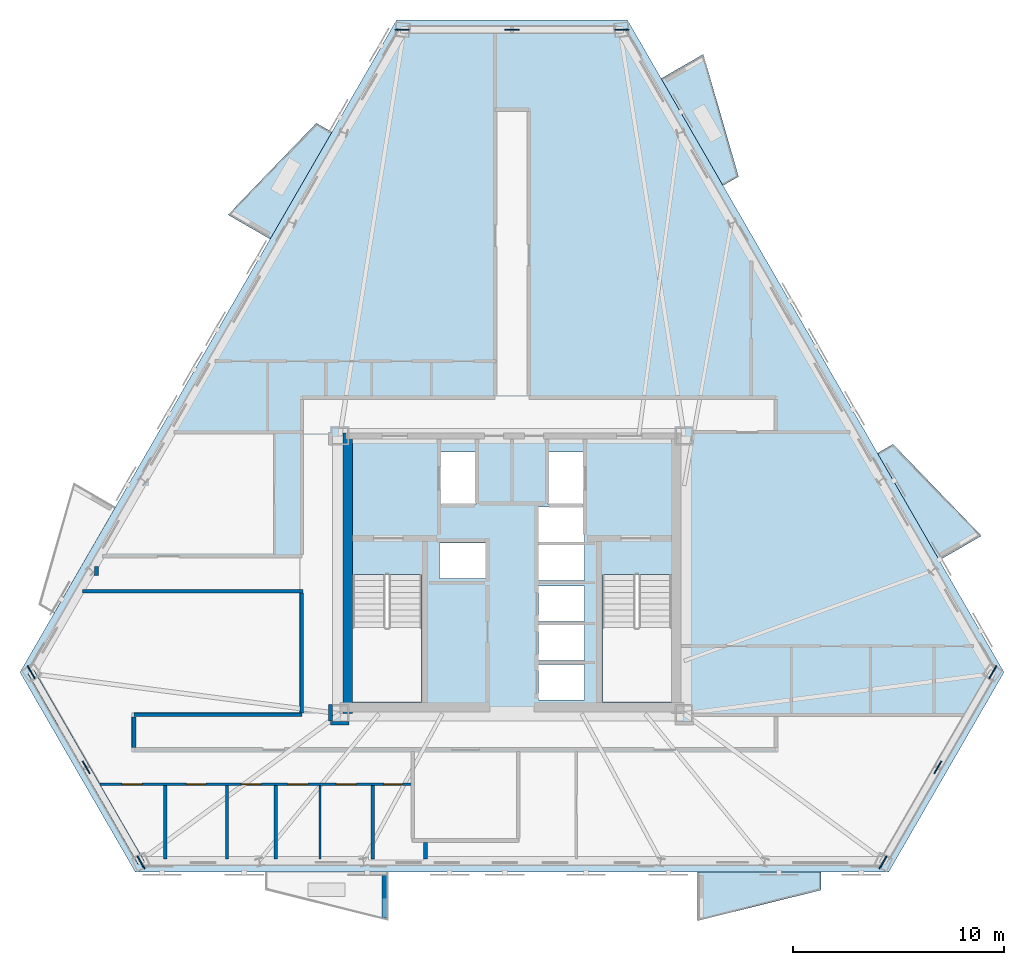
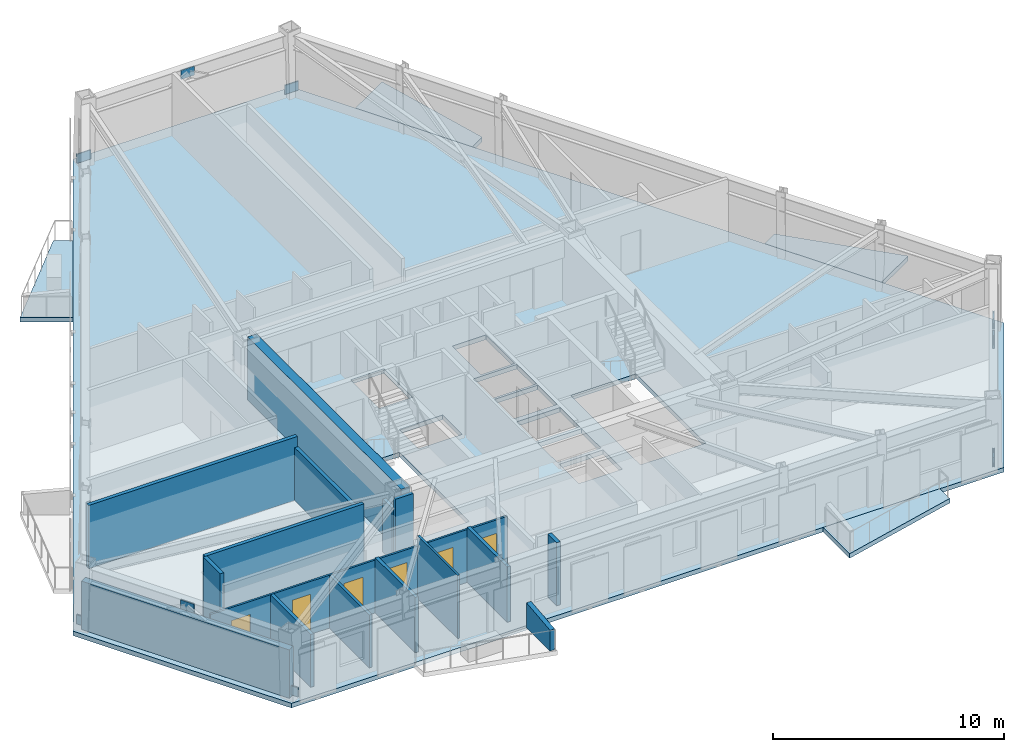
# One storey, part 2 of 9: 17 walls, 9 plates, 6 doors, 5 slabs, 6 openings.
"""IFC4 building model written with IfcOpenShell, lengths in metres."""

from ifc_helpers import new_model, si_unit, direction, frame, frame_2d, origin, origin_2d, place, context, subcontext, project, spatial, polyline, rectangle, outline, extrude, material, layer, layer_set, type_object, element, fill, save


model = new_model("IFC4")

# Units and contexts
model_context = context("Model", 3, precision=1e-05, world=origin(), true_north=direction((0.0, 1.0)))
body_context = subcontext(model_context, "Body", "Model", "MODEL_VIEW")
ifc_project = project(units=[si_unit("LENGTHUNIT", "METRE"), si_unit("AREAUNIT", "SQUARE_METRE"), si_unit("VOLUMEUNIT", "CUBIC_METRE"), si_unit("PLANEANGLEUNIT", "RADIAN"), si_unit("MASSUNIT", "GRAM", prefix="KILO")], contexts=[model_context])

# Site, building, storey
site_placement = place(None, origin())
site = spatial("IfcSite", under=ifc_project, at=site_placement, CompositionType="ELEMENT")
building_placement = place(site_placement, origin())
building = spatial("IfcBuilding", under=site, at=building_placement, Name="Oramaril Tower", CompositionType="ELEMENT")
storey_placement = place(building_placement, frame((0.0, 0.0, 130.199951171875)))
storey = spatial("IfcBuildingStorey", under=building, at=storey_placement, Name="L34", CompositionType="ELEMENT", Elevation=130.199951171875)

# Plates
ifc_material_1 = material(Name="Steel ASTM A572 Gr 50", Category="steel")
ifc_layer_1 = layer(ifc_material_1, 0.06005859375)
ifc_layer_set_1 = layer_set([ifc_layer_1], Name="PLT-G60")
plate_type = type_object("IfcPlateType", Name="PLT-G60", PredefinedType="USERDEFINED", material=ifc_layer_set_1)
for number, where, z_axis, x_axis, name in (
    (1, (17.340576171875, 8.4609375, 2.714111328125), (0.0, 0.0, 1.0), (0.5, -0.866025403784, 0.0), "L34 Chevron Brace Gusset Plate BN-1"),
    (2, (14.741943359375, 12.9619140625, 0.10009765625), (0.0, 0.0, 1.0), (0.5, -0.866025403784, 0.0), "L34 Chevron Brace Gusset Plate BN-1"),
    (3, (19.939208984375, 3.9599609375, 0.10009765625), (0.0, 0.0, 1.0), (0.5, -0.866025403784, 0.0), "L34 Chevron Brace Gusset Plate BN-1"),
    (4, (57.659423828125, 8.4609375, 2.714111328125), (0.0, 0.0, 1.0), (0.5, 0.866025403784, 0.0), "L34 Chevron Brace Gusset Plate BN-1"),
    (5, (55.060791015625, 3.9599609375, 0.10009765625), (0.0, 0.0, 1.0), (0.5, 0.866025403784, 0.0), "L34 Chevron Brace Gusset Plate BN-1"),
    (6, (60.258056640625, 12.9619140625, 0.10009765625), (0.0, 0.0, 1.0), (0.5, 0.866025403784, 0.0), "L34 Chevron Brace Gusset Plate BN-1"),
    (7, (37.5, 43.378173828125, 2.714111328125), (0.0, 0.0, 1.0), (-1.0, 0.0, 0.0), "L34 Chevron Brace Gusset Plate BN-1"),
    (8, (42.697265625, 43.378173828125, 0.10009765625), (0.0, 0.0, 1.0), (-1.0, 0.0, 0.0), "L34 Chevron Brace Gusset Plate BN-1"),
    (9, (32.302734375, 43.378173828125, 0.10009765625), (0.0, 0.0, 1.0), (-1.0, 0.0, 0.0), "L34 Chevron Brace Gusset Plate BN-1"),
):
    element("IfcPlate", number, at=place(storey_placement, frame(where, z_axis=z_axis, x_axis=x_axis)), inside=storey, type_object=plate_type, Name=name, ObjectType="GUSSET", PredefinedType="USERDEFINED", context=body_context, shape_type="SweptSolid", body=[
        extrude(rectangle(XDim=0.679931640625, YDim=0.06005859375, at=origin_2d()), origin(), (0.0, 0.0, 1.0), 0.47998046875),
    ])

# Slabs
ifc_material_2 = material(Name="Concrete C40/50", Category="concrete")
ifc_layer_2 = layer(ifc_material_2, 0.199951171875)
ifc_layer_set_2 = layer_set([ifc_layer_2], Name="SLT-BAL20")
slab_type_1 = type_object("IfcSlabType", Name="SLT-BAL20", PredefinedType="FLOOR", material=ifc_layer_set_2)
slab_1_placement = place(storey_placement, frame((0.0, 0.0, -0.239990234375)))
element("IfcSlab", 10, at=slab_1_placement, inside=storey, type_object=slab_type_1, Name="L34 Cantilevered Balcony Slab L34-BAL-S2", PredefinedType="FLOOR", context=body_context, shape_type="SweptSolid", body=[
    extrude(outline(polyline([(46.2763671875, 3.501953125), (52.12646484375, 3.501953125), (52.12646484375, 2.64990234375), (46.2763671875, 1.199951171875), (46.2763671875, 3.501953125)])), origin(), (0.0, 0.0, 1.0), 0.239990234375),
])
slab_2_placement = place(storey_placement, frame((0.0, 0.0, -0.239990234375)))
element("IfcSlab", 11, at=slab_2_placement, inside=storey, type_object=slab_type_1, Name="L34 Cantilevered Balcony Slab L34-BAL-NE1", PredefinedType="FLOOR", context=body_context, shape_type="SweptSolid", body=[
    extrude(outline(polyline([(57.72509765625, 18.265380859375), (54.800048828125, 23.33154296875), (55.537841796875, 23.757568359375), (59.71875, 19.416259765625), (57.72509765625, 18.265380859375)])), origin(), (0.0, 0.0, 1.0), 0.239990234375),
])
ifc_material_3 = material(Name="Concrete C50/60", Category="concrete")
ifc_layer_3 = layer(ifc_material_3, 0.239990234375)
ifc_layer_set_3 = layer_set([ifc_layer_3], Name="SLT-FLR24")
slab_type_2 = type_object("IfcSlabType", Name="SLT-FLR24", PredefinedType="FLOOR", material=ifc_layer_set_3)
slab_3_placement = place(storey_placement, frame((0.0, 0.0, -0.239990234375)))
element("IfcSlab", 12, at=slab_3_placement, inside=storey, type_object=slab_type_2, Name="L34 Structural Floor Slab", PredefinedType="FLOOR", context=body_context, shape_type="SweptSolid", body=[
    extrude(outline(polyline([(14.210693359375, 12.9619140625), (19.673583984375, 3.5), (55.326416015625, 3.5), (60.789306640625, 12.9619140625), (42.962890625, 43.838134765625), (32.037109375, 43.838134765625), (14.210693359375, 12.9619140625)]), holes=[polyline([(29.949951171875, 17.58935546875), (29.949951171875, 11.550048828125), (33.219970703125, 11.550048828125), (33.219970703125, 17.58935546875), (29.949951171875, 17.58935546875)]), polyline([(41.780029296875, 17.58935546875), (41.780029296875, 11.550048828125), (45.050048828125, 11.550048828125), (45.050048828125, 17.58935546875), (41.780029296875, 17.58935546875)]), polyline([(34.110107421875, 20.909912109375), (35.7900390625, 20.909912109375), (35.7900390625, 23.389892578125), (34.110107421875, 23.389892578125), (34.110107421875, 20.909912109375)]), polyline([(39.2099609375, 20.909912109375), (40.889892578125, 20.909912109375), (40.889892578125, 23.389892578125), (39.2099609375, 23.389892578125), (39.2099609375, 20.909912109375)]), polyline([(38.760009765625, 11.659912109375), (40.93994140625, 11.659912109375), (40.93994140625, 13.340087890625), (38.760009765625, 13.340087890625), (38.760009765625, 11.659912109375)]), polyline([(38.760009765625, 13.510009765625), (40.93994140625, 13.510009765625), (40.93994140625, 15.18994140625), (38.760009765625, 15.18994140625), (38.760009765625, 13.510009765625)]), polyline([(38.760009765625, 15.360107421875), (40.93994140625, 15.360107421875), (40.93994140625, 17.0400390625), (38.760009765625, 17.0400390625), (38.760009765625, 15.360107421875)]), polyline([(34.06005859375, 17.409912109375), (36.239990234375, 17.409912109375), (36.239990234375, 19.090087890625), (34.06005859375, 19.090087890625), (34.06005859375, 17.409912109375)]), polyline([(38.760009765625, 17.31005859375), (40.93994140625, 17.31005859375), (40.93994140625, 18.989990234375), (38.760009765625, 18.989990234375), (38.760009765625, 17.31005859375)]), polyline([(38.760009765625, 19.110107421875), (40.93994140625, 19.110107421875), (40.93994140625, 20.7900390625), (38.760009765625, 20.7900390625), (38.760009765625, 19.110107421875)])]), origin(), (0.0, 0.0, 1.0), 0.239990234375),
])
ifc_material_4 = material(Name="Concrete C40/50", Category="concrete")
ifc_layer_4 = layer(ifc_material_4, 0.18994140625)
ifc_layer_set_4 = layer_set([ifc_layer_4], Name="SLT-PLN19")
slab_type_3 = type_object("IfcSlabType", Name="SLT-PLN19", PredefinedType="FLOOR", material=ifc_layer_set_4)
slab_4_placement = place(storey_placement, frame((0.0, 0.0, -0.239990234375)))
element("IfcSlab", 13, at=slab_4_placement, inside=storey, type_object=slab_type_3, Name="L34 Tree Planter Balcony Slab L34-BAL-NE2", PredefinedType="FLOOR", context=body_context, shape_type="SweptSolid", body=[
    extrude(outline(polyline([(47.486083984375, 35.999755859375), (44.561279296875, 41.06591796875), (46.5546875, 42.216796875), (48.22412109375, 36.42578125), (47.486083984375, 35.999755859375)])), origin(), (0.0, 0.0, 1.0), 0.239990234375),
])
slab_5_placement = place(storey_placement, frame((0.0, 0.0, -0.239990234375)))
element("IfcSlab", 14, at=slab_5_placement, inside=storey, type_object=slab_type_3, Name="L34 Tree Planter Balcony Slab L34-BAL-NW1", PredefinedType="FLOOR", context=body_context, shape_type="SweptSolid", body=[
    extrude(outline(polyline([(28.976318359375, 38.53271484375), (26.05126953125, 33.466552734375), (24.0576171875, 34.617431640625), (28.238525390625, 38.958740234375), (28.976318359375, 38.53271484375)])), origin(), (0.0, 0.0, 1.0), 0.239990234375),
])

# Walls
ifc_material_5 = material(Name="Warm Cream Limestone", Category="masonry")
ifc_layer_5 = layer(ifc_material_5, 0.340087890625)
ifc_layer_set_5 = layer_set([ifc_layer_5], Name="WT-EXT34")
wall_type_1 = type_object("IfcWallType", Name="WT-EXT34", PredefinedType="SOLIDWALL", material=ifc_layer_set_5)
wall_1_placement = place(storey_placement, frame((14.741943359375, 12.9619140625, 0.0), z_axis=(0.0, 0.0, 1.0), x_axis=(0.499998958472, -0.86602600511, 0.0)))
element("IfcWall", 15, at=wall_1_placement, inside=storey, type_object=wall_type_1, Name="L34 Tower Limestone Facade Wall 1M", PredefinedType="SOLIDWALL", context=body_context, shape_type="SweptSolid", body=[
    extrude(rectangle(XDim=10.39453125, YDim=0.340087890625, at=frame_2d((5.197265625, 0.0))), origin(), (0.0, 0.0, 1.0), 2.55810546875),
])
ifc_material_6 = material(Name="Concrete C40/50", Category="concrete")
ifc_layer_6 = layer(ifc_material_6, 0.22998046875)
ifc_layer_set_6 = layer_set([ifc_layer_6], Name="WT-PRP23")
wall_type_2 = type_object("IfcWallType", Name="WT-PRP23", PredefinedType="PARAPET", material=ifc_layer_set_6)
wall_2_placement = place(storey_placement, frame((31.468505859375, 3.36181640625, 0.0), z_axis=(0.0, 0.0, 1.0), x_axis=(0.0, -1.0, 0.0)))
element("IfcWall", 16, at=wall_2_placement, inside=storey, type_object=wall_type_2, Name="L34 Trapezoidal Balcony Frame Cheek L34-BAL-S1-R", PredefinedType="PARAPET", context=body_context, shape_type="SweptSolid", body=[
    extrude(outline(polyline([(0.0, 0.0), (2.0419921875, 0.0), (2.0419921875, 1.10009765625), (0.0, 1.320068359375), (0.0, 0.0)])), frame((0.0, 0.114990234375, 0.0), z_axis=(0.0, -1.0, 0.0), x_axis=(1.0, 0.0, 0.0)), (0.0, 0.0, 1.0), 0.22998046875),
])

# Wall, openings, doors
ifc_material_7 = material(Name="Acoustic Gypsum Board Partition")
ifc_layer_7 = layer(ifc_material_7, 0.10009765625)
ifc_layer_set_7 = layer_set([ifc_layer_7], Name="WT-PT10")
wall_type_3 = type_object("IfcWallType", Name="WT-PT10", PredefinedType="PARTITIONING", material=ifc_layer_set_7)
wall_3_placement = place(storey_placement, frame((18.00390625, 7.659912109375, 0.0), z_axis=(0.0, 0.0, 1.0), x_axis=(1.0, 0.0, 0.0)))
wall_3 = element("IfcWall", 17, at=wall_3_placement, inside=storey, type_object=wall_type_3, Name="L34 Interior Partition PT-10", PredefinedType="PARTITIONING", context=body_context, shape_type="SweptSolid", body=[
    extrude(rectangle(XDim=14.84619140625, YDim=0.10009765625, at=frame_2d((7.423095703125, 0.0))), origin(), (0.0, 0.0, 1.0), 2.7939453125),
])
opening_1_placement = place(wall_3_placement, frame((1.03466796875, 0.0, 0.0)))
opening_1 = element("IfcOpeningElement", 18, at=opening_1_placement, cuts=wall_3, Name="Opening D-L34-01", PredefinedType="OPENING", context=body_context, shape_type="SweptSolid", body=[
    extrude(rectangle(XDim=0.949951171875, YDim=2.10009765625, at=frame_2d((0.47509765625, 1.050048828125))), frame((0.0, 0.050048828125, 0.0), z_axis=(0.0, -1.0, 0.0), x_axis=(1.0, 0.0, 0.0)), (0.0, 0.0, 1.0), 0.10009765625),
])
opening_2_placement = place(wall_3_placement, frame((4.083251953125, 0.0, 0.0)))
opening_2 = element("IfcOpeningElement", 19, at=opening_2_placement, cuts=wall_3, Name="Opening D-L34-02", PredefinedType="OPENING", context=body_context, shape_type="SweptSolid", body=[
    extrude(rectangle(XDim=0.919921875, YDim=2.1201171875, at=frame_2d((0.4599609375, 1.06005859375))), frame((0.0, 0.050048828125, 0.0), z_axis=(0.0, -1.0, 0.0), x_axis=(1.0, 0.0, 0.0)), (0.0, 0.0, 1.0), 0.10009765625),
])
opening_3_placement = place(wall_3_placement, frame((6.68359375, 0.0, 0.0)))
opening_3 = element("IfcOpeningElement", 20, at=opening_3_placement, cuts=wall_3, Name="Opening D-L34-03", PredefinedType="OPENING", context=body_context, shape_type="SweptSolid", body=[
    extrude(rectangle(XDim=0.949951171875, YDim=2.10009765625, at=frame_2d((0.47509765625, 1.050048828125))), frame((0.0, 0.050048828125, 0.0), z_axis=(0.0, -1.0, 0.0), x_axis=(1.0, 0.0, 0.0)), (0.0, 0.0, 1.0), 0.10009765625),
])
opening_4_placement = place(wall_3_placement, frame((8.88037109375, 0.0, 0.0)))
opening_4 = element("IfcOpeningElement", 21, at=opening_4_placement, cuts=wall_3, Name="Opening D-L34-04", PredefinedType="OPENING", context=body_context, shape_type="SweptSolid", body=[
    extrude(rectangle(XDim=0.949951171875, YDim=2.10009765625, at=frame_2d((0.47509765625, 1.050048828125))), frame((0.0, 0.050048828125, 0.0), z_axis=(0.0, -1.0, 0.0), x_axis=(1.0, 0.0, 0.0)), (0.0, 0.0, 1.0), 0.10009765625),
])
opening_5_placement = place(wall_3_placement, frame((11.1787109375, 0.0, 0.0)))
opening_5 = element("IfcOpeningElement", 22, at=opening_5_placement, cuts=wall_3, Name="Opening D-L34-05", PredefinedType="OPENING", context=body_context, shape_type="SweptSolid", body=[
    extrude(rectangle(XDim=0.949951171875, YDim=2.10009765625, at=frame_2d((0.47509765625, 1.050048828125))), frame((0.0, 0.050048828125, 0.0), z_axis=(0.0, -1.0, 0.0), x_axis=(1.0, 0.0, 0.0)), (0.0, 0.0, 1.0), 0.10009765625),
])
opening_6_placement = place(wall_3_placement, frame((13.426025390625, 0.0, 0.0)))
opening_6 = element("IfcOpeningElement", 23, at=opening_6_placement, cuts=wall_3, Name="Opening D-L34-06", PredefinedType="OPENING", context=body_context, shape_type="SweptSolid", body=[
    extrude(rectangle(XDim=0.8798828125, YDim=2.080078125, at=frame_2d((0.43994140625, 1.0400390625))), frame((0.0, 0.050048828125, 0.0), z_axis=(0.0, -1.0, 0.0), x_axis=(1.0, 0.0, 0.0)), (0.0, 0.0, 1.0), 0.10009765625),
])
ifc_material_8 = material(Name="FSC Brazilian Freijo Hardwood", Category="wood")
door_type_1 = type_object("IfcDoorType", Name="DT-BATH", OperationType="NOTDEFINED", PredefinedType="DOOR", material=ifc_material_8)
door_1_placement = place(opening_6_placement, origin())
door_1 = element("IfcDoor", 24, at=door_1_placement, inside=storey, type_object=door_type_1, Name="L34 Flat L34-U2 Bathroom Door D-L34-06", OperationType="SINGLE_SWING_RIGHT", OverallHeight=2.080078125, OverallWidth=0.8798828125, PredefinedType="DOOR", context=body_context, shape_type="SweptSolid", body=[
    extrude(rectangle(XDim=0.8798828125, YDim=2.080078125, at=frame_2d((0.43994140625, 1.0400390625))), frame((0.0, 0.02490234375, 0.0), z_axis=(0.0, -1.0, 0.0), x_axis=(1.0, 0.0, 0.0)), (0.0, 0.0, 1.0), 0.050048828125),
])
fill(opening_6, door_1)
ifc_material_9 = material(Name="FSC Brazilian Freijo Hardwood", Category="wood")
door_type_2 = type_object("IfcDoorType", Name="DT-BED", OperationType="NOTDEFINED", PredefinedType="DOOR", material=ifc_material_9)
door_2_placement = place(opening_2_placement, origin())
door_2 = element("IfcDoor", 25, at=door_2_placement, inside=storey, type_object=door_type_2, Name="L34 Flat L34-U2 Bedroom 2 Door D-L34-02", OperationType="SINGLE_SWING_RIGHT", OverallHeight=2.1201171875, OverallWidth=0.919921875, PredefinedType="DOOR", context=body_context, shape_type="SweptSolid", body=[
    extrude(rectangle(XDim=0.919921875, YDim=2.1201171875, at=frame_2d((0.4599609375, 1.06005859375))), frame((0.0, 0.02490234375, 0.0), z_axis=(0.0, -1.0, 0.0), x_axis=(1.0, 0.0, 0.0)), (0.0, 0.0, 1.0), 0.050048828125),
])
fill(opening_2, door_2)
ifc_material_10 = material(Name="FSC Brazilian Freijo Hardwood", Category="wood")
door_type_3 = type_object("IfcDoorType", Name="DT-STDY", OperationType="NOTDEFINED", PredefinedType="DOOR", material=ifc_material_10)
door_3_placement = place(opening_1_placement, origin())
door_3 = element("IfcDoor", 26, at=door_3_placement, inside=storey, type_object=door_type_3, Name="L34 Flat L34-U2 Breakfast Dining Room Door D-L34-01", OperationType="SINGLE_SWING_LEFT", OverallHeight=2.10009765625, OverallWidth=0.949951171875, PredefinedType="DOOR", context=body_context, shape_type="SweptSolid", body=[
    extrude(rectangle(XDim=0.949951171875, YDim=2.10009765625, at=frame_2d((0.47509765625, 1.050048828125))), frame((0.0, 0.02490234375, 0.0), z_axis=(0.0, -1.0, 0.0), x_axis=(1.0, 0.0, 0.0)), (0.0, 0.0, 1.0), 0.050048828125),
])
fill(opening_1, door_3)
door_4_placement = place(opening_3_placement, origin())
door_4 = element("IfcDoor", 27, at=door_4_placement, inside=storey, type_object=door_type_3, Name="L34 Flat L34-U2 Breakfast Dining Room Door D-L34-03", OperationType="SINGLE_SWING_LEFT", OverallHeight=2.10009765625, OverallWidth=0.949951171875, PredefinedType="DOOR", context=body_context, shape_type="SweptSolid", body=[
    extrude(rectangle(XDim=0.949951171875, YDim=2.10009765625, at=frame_2d((0.47509765625, 1.050048828125))), frame((0.0, 0.02490234375, 0.0), z_axis=(0.0, -1.0, 0.0), x_axis=(1.0, 0.0, 0.0)), (0.0, 0.0, 1.0), 0.050048828125),
])
fill(opening_3, door_4)
door_5_placement = place(opening_4_placement, origin())
door_5 = element("IfcDoor", 28, at=door_5_placement, inside=storey, type_object=door_type_3, Name="L34 Flat L34-U2 Private Dining Room Door D-L34-04", OperationType="SINGLE_SWING_RIGHT", OverallHeight=2.10009765625, OverallWidth=0.949951171875, PredefinedType="DOOR", context=body_context, shape_type="SweptSolid", body=[
    extrude(rectangle(XDim=0.949951171875, YDim=2.10009765625, at=frame_2d((0.47509765625, 1.050048828125))), frame((0.0, 0.02490234375, 0.0), z_axis=(0.0, -1.0, 0.0), x_axis=(1.0, 0.0, 0.0)), (0.0, 0.0, 1.0), 0.050048828125),
])
fill(opening_4, door_5)
door_6_placement = place(opening_5_placement, origin())
door_6 = element("IfcDoor", 29, at=door_6_placement, inside=storey, type_object=door_type_3, Name="L34 Flat L34-U2 Kitchen Door D-L34-05", OperationType="SINGLE_SWING_LEFT", OverallHeight=2.10009765625, OverallWidth=0.949951171875, PredefinedType="DOOR", context=body_context, shape_type="SweptSolid", body=[
    extrude(rectangle(XDim=0.949951171875, YDim=2.10009765625, at=frame_2d((0.47509765625, 1.050048828125))), frame((0.0, 0.02490234375, 0.0), z_axis=(0.0, -1.0, 0.0), x_axis=(1.0, 0.0, 0.0)), (0.0, 0.0, 1.0), 0.050048828125),
])
fill(opening_5, door_6)

# Walls
wall_4_placement = place(storey_placement, frame((28.409912109375, 4.1337890625, 0.0), z_axis=(0.0, 0.0, 1.0), x_axis=(0.0, 1.0, 0.0)))
element("IfcWall", 30, at=wall_4_placement, inside=storey, type_object=wall_type_3, Name="L34 Interior Partition PT-10", PredefinedType="PARTITIONING", context=body_context, shape_type="SweptSolid", body=[
    extrude(rectangle(XDim=3.47216796875, YDim=0.10009765625, at=frame_2d((1.736083984375, 0.0))), origin(), (0.0, 0.0, 1.0), 3.340087890625),
])
ifc_material_11 = material(Name="Acoustic Gypsum Board Partition")
ifc_layer_8 = layer(ifc_material_11, 0.139892578125)
ifc_layer_set_8 = layer_set([ifc_layer_8], Name="WT-PT14")
wall_type_4 = type_object("IfcWallType", Name="WT-PT14", PredefinedType="PARTITIONING", material=ifc_layer_set_8)
wall_5_placement = place(storey_placement, frame((24.010009765625, 4.1337890625, 0.0), z_axis=(0.0, 0.0, 1.0), x_axis=(0.0, 1.0, 0.0)))
element("IfcWall", 31, at=wall_5_placement, inside=storey, type_object=wall_type_4, Name="L34 Interior Partition PT-14", PredefinedType="PARTITIONING", context=body_context, shape_type="SweptSolid", body=[
    extrude(rectangle(XDim=3.47216796875, YDim=0.139892578125, at=frame_2d((1.736083984375, 0.0))), origin(), (0.0, 0.0, 1.0), 2.7939453125),
])
ifc_material_12 = material(Name="Acoustic Gypsum Board Partition")
ifc_layer_9 = layer(ifc_material_12, 0.159912109375)
ifc_layer_set_9 = layer_set([ifc_layer_9], Name="WT-PT16")
wall_type_5 = type_object("IfcWallType", Name="WT-PT16", PredefinedType="PARTITIONING", material=ifc_layer_set_9)
wall_6_placement = place(storey_placement, frame((21.080078125, 4.1337890625, 0.0), z_axis=(0.0, 0.0, 1.0), x_axis=(0.0, 1.0, 0.0)))
element("IfcWall", 32, at=wall_6_placement, inside=storey, type_object=wall_type_5, Name="L34 Interior Partition PT-16", PredefinedType="PARTITIONING", context=body_context, shape_type="SweptSolid", body=[
    extrude(rectangle(XDim=3.47216796875, YDim=0.159912109375, at=frame_2d((1.736083984375, 0.0))), origin(), (0.0, 0.0, 1.0), 2.7939453125),
])
for number, where, z_axis, x_axis, name in (
    (33, (26.31005859375, 4.1337890625, 0.0), (0.0, 0.0, 1.0), (0.0, 1.0, 0.0), "L34 Interior Partition PT-16"),
    (34, (30.909912109375, 4.1337890625, 0.0), (0.0, 0.0, 1.0), (0.0, 1.0, 0.0), "L34 Interior Partition PT-16"),
):
    element("IfcWall", number, at=place(storey_placement, frame(where, z_axis=z_axis, x_axis=x_axis)), inside=storey, type_object=wall_type_5, Name=name, PredefinedType="PARTITIONING", context=body_context, shape_type="SweptSolid", body=[
        extrude(rectangle(XDim=3.47216796875, YDim=0.159912109375, at=frame_2d((1.736083984375, 0.0))), origin(), (0.0, 0.0, 1.0), 2.926025390625),
    ])
ifc_material_13 = material(Name="Autoclaved Cellular Concrete Block", Category="concrete")
ifc_layer_10 = layer(ifc_material_13, 0.179931640625)
ifc_layer_set_10 = layer_set([ifc_layer_10], Name="WT-PT18")
wall_type_6 = type_object("IfcWallType", Name="WT-PT18", PredefinedType="PARTITIONING", material=ifc_layer_set_10)
wall_7_placement = place(storey_placement, frame((28.905029296875, 10.550048828125, 0.0), z_axis=(0.0, 0.0, 1.0), x_axis=(1.0, 0.0, 0.0)))
element("IfcWall", 35, at=wall_7_placement, inside=storey, type_object=wall_type_6, Name="L34 Interior Partition PT-18", PredefinedType="PARTITIONING", context=body_context, shape_type="SweptSolid", body=[
    extrude(rectangle(XDim=0.889892578125, YDim=0.179931640625, at=frame_2d((0.44482421875, 0.0))), origin(), (0.0, 0.0, 1.0), 3.340087890625),
])
wall_8_placement = place(storey_placement, frame((19.60009765625, 10.949951171875, 0.0), z_axis=(0.0, 0.0, 1.0), x_axis=(1.0, 0.0, 0.0)))
element("IfcWall", 36, at=wall_8_placement, inside=storey, type_object=wall_type_6, Name="L34 Interior Partition PT-18", PredefinedType="PARTITIONING", context=body_context, shape_type="SweptSolid", body=[
    extrude(rectangle(XDim=7.949951171875, YDim=0.179931640625, at=frame_2d((3.97509765625, 0.0))), origin(), (0.0, 0.0, 1.0), 3.340087890625),
])
wall_9_placement = place(storey_placement, frame((17.15869140625, 16.800048828125, 0.0), z_axis=(0.0, 0.0, 1.0), x_axis=(1.0, 0.0, 0.0)))
element("IfcWall", 37, at=wall_9_placement, inside=storey, type_object=wall_type_6, Name="L34 Interior Partition PT-18", PredefinedType="PARTITIONING", context=body_context, shape_type="SweptSolid", body=[
    extrude(rectangle(XDim=10.451416015625, YDim=0.179931640625, at=frame_2d((5.2255859375, 0.0))), origin(), (0.0, 0.0, 1.0), 3.340087890625),
])
wall_10_placement = place(storey_placement, frame((17.830078125, 17.5439453125, 0.0), z_axis=(0.0, 0.0, 1.0), x_axis=(0.0, 1.0, 0.0)))
element("IfcWall", 38, at=wall_10_placement, inside=storey, type_object=wall_type_6, Name="L34 Interior Partition PT-18", PredefinedType="PARTITIONING", context=body_context, shape_type="SweptSolid", body=[
    extrude(rectangle(XDim=0.418701171875, YDim=0.179931640625, at=frame_2d((0.20947265625, 0.0))), origin(), (0.0, 0.0, 1.0), 2.55810546875),
])
wall_11_placement = place(storey_placement, frame((19.60009765625, 9.39404296875, 0.0), z_axis=(0.0, 0.0, 1.0), x_axis=(0.0, 1.0, 0.0)))
element("IfcWall", 39, at=wall_11_placement, inside=storey, type_object=wall_type_6, Name="L34 Interior Partition PT-18", PredefinedType="PARTITIONING", context=body_context, shape_type="SweptSolid", body=[
    extrude(rectangle(XDim=1.4619140625, YDim=0.179931640625, at=frame_2d((0.73095703125, 0.0))), origin(), (0.0, 0.0, 1.0), 3.340087890625),
])
wall_12_placement = place(storey_placement, frame((27.550048828125, 11.0439453125, 0.0), z_axis=(0.0, 0.0, 1.0), x_axis=(0.0, 1.0, 0.0)))
element("IfcWall", 40, at=wall_12_placement, inside=storey, type_object=wall_type_6, Name="L34 Interior Partition PT-18", PredefinedType="PARTITIONING", context=body_context, shape_type="SweptSolid", body=[
    extrude(rectangle(XDim=5.662109375, YDim=0.179931640625, at=frame_2d((2.8310546875, 0.0))), origin(), (0.0, 0.0, 1.0), 2.7939453125),
])
wall_13_placement = place(storey_placement, frame((28.909912109375, 10.64404296875, 0.0), z_axis=(0.0, 0.0, 1.0), x_axis=(0.0, 1.0, 0.0)))
element("IfcWall", 41, at=wall_13_placement, inside=storey, type_object=wall_type_6, Name="L34 Interior Partition PT-18", PredefinedType="PARTITIONING", context=body_context, shape_type="SweptSolid", body=[
    extrude(rectangle(XDim=0.7958984375, YDim=0.179931640625, at=frame_2d((0.39794921875, 0.0))), origin(), (0.0, 0.0, 1.0), 2.7939453125),
])
wall_14_placement = place(storey_placement, frame((33.39990234375, 4.1337890625, 0.0), z_axis=(0.0, 0.0, 1.0), x_axis=(0.0, 1.0, 0.0)))
element("IfcWall", 42, at=wall_14_placement, inside=storey, type_object=wall_type_6, Name="L34 Interior Partition PT-18", PredefinedType="PARTITIONING", context=body_context, shape_type="SweptSolid", body=[
    extrude(rectangle(XDim=0.772216796875, YDim=0.179931640625, at=frame_2d((0.38623046875, 0.0))), origin(), (0.0, 0.0, 1.0), 3.340087890625),
])
ifc_material_14 = material(Name="Concrete C50/60", Category="concrete")
ifc_layer_11 = layer(ifc_material_14, 0.449951171875)
ifc_layer_set_11 = layer_set([ifc_layer_11], Name="WT-SH45")
wall_type_7 = type_object("IfcWallType", Name="WT-SH45", PredefinedType="SHEAR", material=ifc_layer_set_11)
wall_15_placement = place(storey_placement, frame((29.715087890625, 11.0, 0.0), z_axis=(0.0, 0.0, 1.0), x_axis=(0.0, 1.0, 0.0)))
element("IfcWall", 43, at=wall_15_placement, inside=storey, type_object=wall_type_7, Name="L34 Core Shear Wall CW-W", PredefinedType="SHEAR", context=body_context, shape_type="SweptSolid", body=[
    extrude(rectangle(XDim=13.300048828125, YDim=0.449951171875, at=frame_2d((6.64990234375, 0.0))), origin(), (0.0, 0.0, 1.0), 3.340087890625),
])

save(model, "model.ifc")
